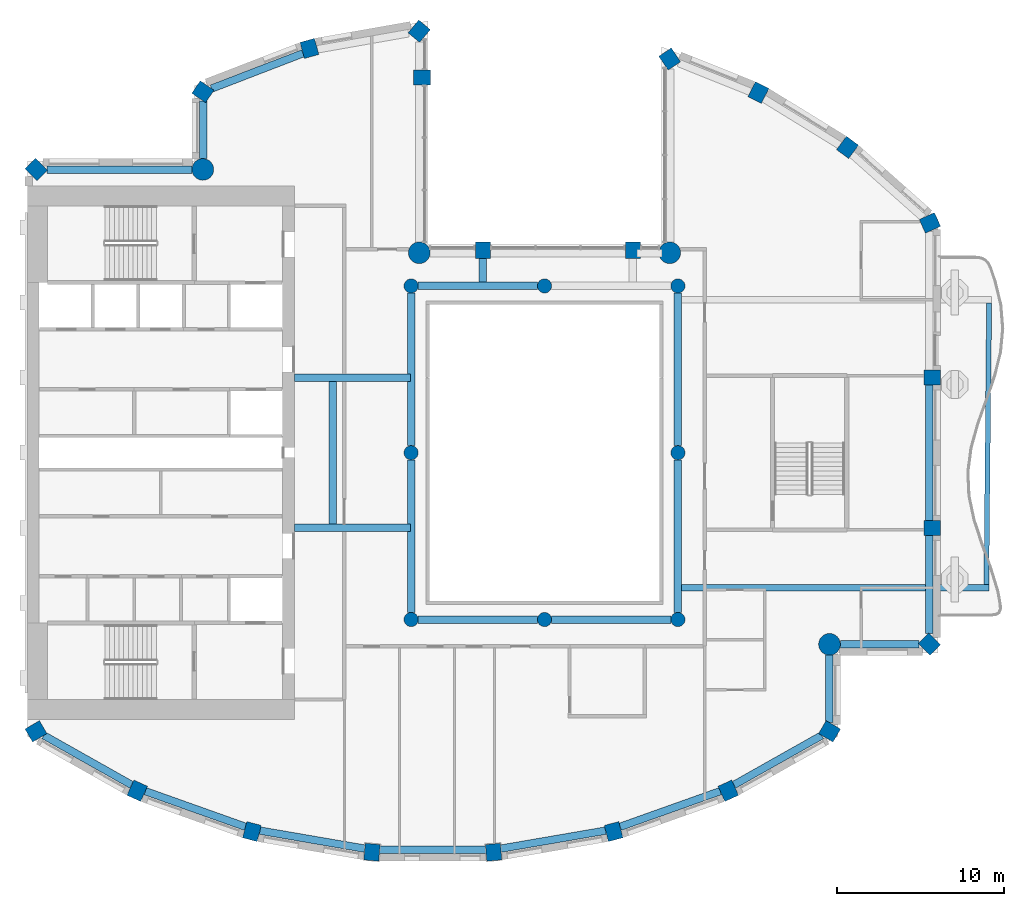
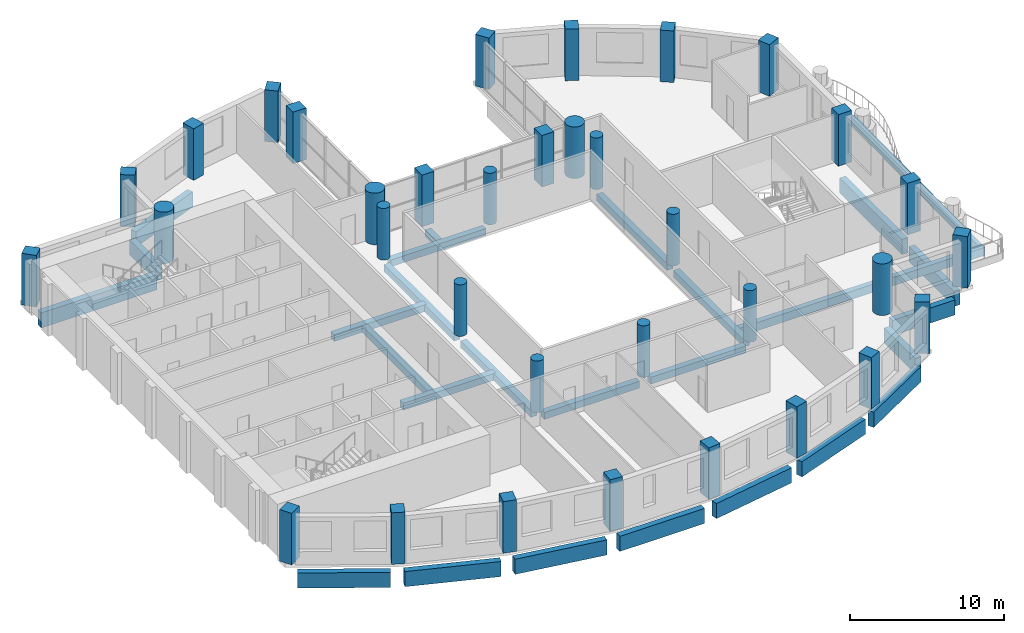
# One storey, part 1 of 14: 34 columns, 27 beams.
"""IFC4 building model written with IfcOpenShell, lengths in metres."""

from ifc_helpers import new_model, si_unit, direction, frame, origin, origin_2d, place, context, subcontext, project, spatial, rectangle, circle, extrude, material, material_profile, profile_set, type_object, element, save


model = new_model("IFC4")

# Units and contexts
model_context = context("Model", 3, precision=1e-05, world=origin(), true_north=direction((0.0, 1.0)))
body_context = subcontext(model_context, "Body", "Model", "MODEL_VIEW")
ifc_project = project(units=[si_unit("LENGTHUNIT", "METRE"), si_unit("AREAUNIT", "SQUARE_METRE"), si_unit("VOLUMEUNIT", "CUBIC_METRE"), si_unit("PLANEANGLEUNIT", "RADIAN"), si_unit("MASSUNIT", "GRAM", prefix="KILO")], contexts=[model_context])

# Site, building, storey
site_placement = place(None, origin())
site = spatial("IfcSite", under=ifc_project, at=site_placement, CompositionType="ELEMENT")
building_placement = place(site_placement, origin())
building = spatial("IfcBuilding", under=site, at=building_placement, Name="Cypress Arch Tower", CompositionType="ELEMENT")
storey_placement = place(building_placement, frame((0.0, 0.0, 296.699951171875)))
storey = spatial("IfcBuildingStorey", under=building, at=storey_placement, Name="L67", CompositionType="ELEMENT", Elevation=296.699951171875)

# Columns
ifc_material_1 = material(Name="Concrete C60/75", Category="concrete")
ifc_material_profile_1 = material_profile(ifc_material_1, rectangle(XDim=0.89990234375, YDim=1.0, at=origin_2d()), Name="RC 900x1000")
ifc_profile_set_1 = profile_set([ifc_material_profile_1], Name="Concrete C60/75")
column_type_1 = type_object("IfcColumnType", Name="Column RC 900x1000 Concrete C60/75", PredefinedType="COLUMN", material=ifc_profile_set_1)
for number, where, z_axis, x_axis, name in (
    (1, (8.5029296875, 23.606201171875, 0.0), (0.0, 0.0, 1.0), (-0.828469606019, -0.560034027451, 0.0), "Column L67 CC00"),
    (2, (6.300048828125, 12.14990234375, 0.0), (0.0, 0.0, 1.0), (-1.0, 0.0, 0.0), "Column L67 CC02"),
    (3, (-2.699951171875, 12.14990234375, 0.0), (0.0, 0.0, 1.0), (-1.0, 0.0, 0.0), "Column L67 CC03"),
    (4, (-6.35009765625, 22.5, 0.0), (0.0, 0.0, 1.0), (0.0, 1.0, 0.0), "Column L67 CC05"),
    (5, (-6.51611328125, 25.27490234375, 0.0), (0.0, 0.0, 1.0), (-0.766063514674, 0.642764880407, 0.0), "Column L67 CC06"),
    (6, (-13.0947265625, 24.241455078125, 0.0), (0.0, 0.0, 1.0), (-0.96345574646, -0.267867550506, 0.0), "Column L67 CC07"),
    (7, (-19.483154296875, 21.645263671875, 0.0), (0.0, 0.0, 1.0), (-0.565892599589, -0.824478966215, 0.0), "Column L67 CC08"),
    (8, (-29.478271484375, 16.978271484375, 0.0), (0.0, 0.0, 1.0), (-0.707106781187, -0.707106781187, 0.0), "Column L67 CC10"),
    (9, (-29.4912109375, -16.702880859375, 0.0), (0.0, 0.0, 1.0), (0.504399289829, -0.86347053014, 0.0), "Column L67 CC11"),
    (10, (-23.4189453125, -20.266845703125, 0.0), (0.0, 0.0, 1.0), (0.909932071487, -0.414757308891, 0.0), "Column L67 CC12"),
    (11, (-16.541748046875, -22.714599609375, 0.0), (0.0, 0.0, 1.0), (0.96735573689, -0.2534223319, 0.0), "Column L67 CC13"),
    (12, (-9.346923828125, -23.95361328125, 0.0), (0.0, 0.0, 1.0), (0.996368206733, -0.085149260784, 0.0), "Column L67 CC14"),
    (13, (-2.052978515625, -23.95361328125, 0.0), (0.0, 0.0, 1.0), (0.996368206733, 0.085149260784, 0.0), "Column L67 CC15"),
    (14, (5.1416015625, -22.714599609375, 0.0), (0.0, 0.0, 1.0), (0.96735573689, 0.2534223319, 0.0), "Column L67 CC16"),
    (15, (12.01904296875, -20.266845703125, 0.0), (0.0, 0.0, 1.0), (0.909932071487, 0.414757308891, 0.0), "Column L67 CC17"),
    (16, (18.09130859375, -16.702880859375, 0.0), (0.0, 0.0, 1.0), (0.504399289829, 0.86347053014, 0.0), "Column L67 CC18"),
    (17, (24.078369140625, -11.478271484375, 0.0), (0.0, 0.0, 1.0), (0.707106781187, 0.707106781187, 0.0), "Column L67 CC20"),
    (18, (24.25, -4.5, 0.0), (0.0, 0.0, 1.0), (0.0, 1.0, 0.0), "Column L67 CC21"),
    (19, (24.25, 4.5, 0.0), (0.0, 0.0, 1.0), (0.0, 1.0, 0.0), "Column L67 CC22"),
    (20, (24.109619140625, 13.77978515625, 0.0), (0.0, 0.0, 1.0), (-0.409765058504, 0.912191096662, 0.0), "Column L67 CC23"),
    (21, (19.168212890625, 18.307861328125, 0.0), (0.0, 0.0, 1.0), (-0.802798546114, 0.596250362144, 0.0), "Column L67 CC24"),
    (22, (13.82568359375, 21.59375, 0.0), (0.0, 0.0, 1.0), (-0.893106499805, 0.44984528452, 0.0), "Column L67 CC25"),
):
    element("IfcColumn", number, at=place(storey_placement, frame(where, z_axis=z_axis, x_axis=x_axis)), inside=storey, type_object=column_type_1, Name=name, PredefinedType="COLUMN", context=body_context, shape_type="SweptSolid", body=[
        extrude(rectangle(XDim=0.89990234375, YDim=1.0, at=origin_2d()), origin(), (0.0, 0.0, 1.0), 4.10009765625),
    ])
ifc_material_2 = material(Name="Concrete C60/75", Category="concrete")
ifc_material_profile_2 = material_profile(ifc_material_2, circle(Radius=0.425048828125, at=origin_2d()), Name="RC D850")
ifc_profile_set_2 = profile_set([ifc_material_profile_2], Name="Concrete C60/75")
column_type_2 = type_object("IfcColumnType", Name="Column RC D850 Concrete C60/75", PredefinedType="COLUMN", material=ifc_profile_set_2)
for number, where, z_axis, x_axis, name in (
    (23, (-7.0, -10.0, 0.0), (0.0, 0.0, 1.0), (1.0, 0.0, 0.0), "Column L67 RNG-L67-G-7-10"),
    (24, (-7.0, 0.0, 0.0), (0.0, 0.0, 1.0), (1.0, 0.0, 0.0), "Column L67 RNG-L67-G-7+0"),
    (25, (-7.0, 10.0, 0.0), (0.0, 0.0, 1.0), (1.0, 0.0, 0.0), "Column L67 RNG-L67-G-7+10"),
    (26, (1.0, -10.0, 0.0), (0.0, 0.0, 1.0), (1.0, 0.0, 0.0), "Column L67 RNG-L67-G+1-10"),
    (27, (1.0, 10.0, 0.0), (0.0, 0.0, 1.0), (1.0, 0.0, 0.0), "Column L67 RNG-L67-G+1+10"),
    (28, (9.0, -10.0, 0.0), (0.0, 0.0, 1.0), (1.0, 0.0, 0.0), "Column L67 RNG-L67-G+9-10"),
    (29, (9.0, 0.0, 0.0), (0.0, 0.0, 1.0), (1.0, 0.0, 0.0), "Column L67 RNG-L67-G+9+0"),
    (30, (9.0, 10.0, 0.0), (0.0, 0.0, 1.0), (1.0, 0.0, 0.0), "Column L67 RNG-L67-G+9+10"),
):
    element("IfcColumn", number, at=place(storey_placement, frame(where, z_axis=z_axis, x_axis=x_axis)), inside=storey, type_object=column_type_2, Name=name, PredefinedType="COLUMN", context=body_context, shape_type="SweptSolid", body=[
        extrude(circle(Radius=0.425048828125, at=origin_2d()), origin(), (0.0, 0.0, 1.0), 4.10009765625),
    ])
ifc_material_3 = material(Name="Concrete C60/75", Category="concrete")
ifc_material_profile_3 = material_profile(ifc_material_3, circle(Radius=0.64990234375, at=origin_2d()), Name="RC D1300")
ifc_profile_set_3 = profile_set([ifc_material_profile_3], Name="Concrete C60/75")
column_type_3 = type_object("IfcColumnType", Name="Mega-column RC D1300 Concrete C60/75", PredefinedType="COLUMN", material=ifc_profile_set_3)
for number, where, z_axis, x_axis, name in (
    (31, (8.51220703125, 11.98779296875, 0.0), (0.0, 0.0, 1.0), (1.0, 0.0, 0.0), "Column L67 CC01"),
    (32, (-6.51220703125, 11.98779296875, 0.0), (0.0, 0.0, 1.0), (1.0, 0.0, 0.0), "Column L67 CC04"),
    (33, (-19.48779296875, 16.98779296875, 0.0), (0.0, 0.0, 1.0), (1.0, 0.0, 0.0), "Column L67 CC09"),
    (34, (18.087890625, -11.48779296875, 0.0), (0.0, 0.0, 1.0), (1.0, 0.0, 0.0), "Column L67 CC19"),
):
    element("IfcColumn", number, at=place(storey_placement, frame(where, z_axis=z_axis, x_axis=x_axis)), inside=storey, type_object=column_type_3, Name=name, PredefinedType="COLUMN", context=body_context, shape_type="SweptSolid", body=[
        extrude(circle(Radius=0.64990234375, at=origin_2d()), origin(), (0.0, 0.0, 1.0), 4.10009765625),
    ])

# Beams
ifc_material_4 = material(Name="Concrete C50/60", Category="concrete")
ifc_material_profile_4 = material_profile(ifc_material_4, rectangle(XDim=0.300048828125, YDim=0.64990234375, at=origin_2d()), Name="RC 300x650")
ifc_profile_set_4 = profile_set([ifc_material_profile_4], Name="Concrete C50/60")
beam_type_1 = type_object("IfcBeamType", Name="Balcony edge beam RC 300x650 Concrete C50/60", PredefinedType="BEAM", material=ifc_profile_set_4)
beam_1_placement = place(storey_placement, frame((27.492919921875, -7.89990234375, -0.625), z_axis=(0.009731864031, 0.99995264429, 0.0), x_axis=(-0.99995264429, 0.009731864031, 0.0)))
element("IfcBeam", 35, at=beam_1_placement, inside=storey, type_object=beam_type_1, Name="Balcony edge beam L67 C17", PredefinedType="BEAM", context=body_context, shape_type="SweptSolid", body=[
    extrude(rectangle(XDim=0.300048828125, YDim=0.64990234375, at=origin_2d()), origin(), (0.0, 0.0, 1.0), 16.88330078125),
])
ifc_material_5 = material(Name="Concrete C50/60", Category="concrete")
ifc_material_profile_5 = material_profile(ifc_material_5, rectangle(XDim=0.39990234375, YDim=0.64990234375, at=origin_2d()), Name="RC 400x650")
ifc_profile_set_5 = profile_set([ifc_material_profile_5], Name="Concrete C50/60")
beam_type_2 = type_object("IfcBeamType", Name="Cantilever beam RC 400x650 Concrete C50/60", PredefinedType="BEAM", material=ifc_profile_set_5)
beam_2_placement = place(storey_placement, frame((9.22509765625, -8.10009765625, -0.625), z_axis=(1.0, 0.0, 0.0), x_axis=(0.0, 1.0, 0.0)))
element("IfcBeam", 36, at=beam_2_placement, inside=storey, type_object=beam_type_2, Name="Cantilever beam L67 C17 1", PredefinedType="BEAM", context=body_context, shape_type="SweptSolid", body=[
    extrude(rectangle(XDim=0.39990234375, YDim=0.64990234375, at=origin_2d()), origin(), (0.0, 0.0, 1.0), 18.417724609375),
])
ifc_material_6 = material(Name="Concrete C50/60", Category="concrete")
ifc_material_profile_6 = material_profile(ifc_material_6, rectangle(XDim=0.449951171875, YDim=0.550048828125, at=origin_2d()), Name="RC 450x550")
ifc_profile_set_6 = profile_set([ifc_material_profile_6], Name="Concrete C50/60")
beam_type_3 = type_object("IfcBeamType", Name="Floor beam RC 450x550 Concrete C50/60", PredefinedType="BEAM", material=ifc_profile_set_6)
for number, where, z_axis, x_axis, name in (
    (37, (-7.0, -9.574951171875, -0.574951171875), (0.0, 1.0, 0.0), (-1.0, 0.0, 0.0), "Floor beam L67 RB001"),
    (38, (-7.0, 0.425048828125, -0.574951171875), (0.0, 1.0, 0.0), (-1.0, 0.0, 0.0), "Floor beam L67 RB002"),
    (39, (9.0, -9.574951171875, -0.574951171875), (0.0, 1.0, 0.0), (-1.0, 0.0, 0.0), "Floor beam L67 RB003"),
    (40, (9.0, 0.425048828125, -0.574951171875), (0.0, 1.0, 0.0), (-1.0, 0.0, 0.0), "Floor beam L67 RB004"),
):
    element("IfcBeam", number, at=place(storey_placement, frame(where, z_axis=z_axis, x_axis=x_axis)), inside=storey, type_object=beam_type_3, Name=name, PredefinedType="BEAM", context=body_context, shape_type="SweptSolid", body=[
        extrude(rectangle(XDim=0.449951171875, YDim=0.550048828125, at=origin_2d()), origin(), (0.0, 0.0, 1.0), 9.14990234375),
    ])
for number, where, z_axis, x_axis, name in (
    (41, (-6.574951171875, -10.0, -0.574951171875), (1.0, 0.0, 0.0), (0.0, 1.0, 0.0), "Floor beam L67 RB005"),
    (42, (1.425048828125, -10.0, -0.574951171875), (1.0, 0.0, 0.0), (0.0, 1.0, 0.0), "Floor beam L67 RB006"),
    (43, (-6.574951171875, 10.0, -0.574951171875), (1.0, 0.0, 0.0), (0.0, 1.0, 0.0), "Floor beam L67 RB007"),
):
    element("IfcBeam", number, at=place(storey_placement, frame(where, z_axis=z_axis, x_axis=x_axis)), inside=storey, type_object=beam_type_3, Name=name, PredefinedType="BEAM", context=body_context, shape_type="SweptSolid", body=[
        extrude(rectangle(XDim=0.449951171875, YDim=0.550048828125, at=origin_2d()), origin(), (0.0, 0.0, 1.0), 7.14990234375),
    ])
for number, where, z_axis, x_axis, name in (
    (44, (-14.0, -4.5, -0.574951171875), (1.0, 0.0, 0.0), (0.0, 1.0, 0.0), "Floor beam L67 FB009"),
    (45, (-14.0, 4.5, -0.574951171875), (1.0, 0.0, 0.0), (0.0, 1.0, 0.0), "Floor beam L67 FB010"),
):
    element("IfcBeam", number, at=place(storey_placement, frame(where, z_axis=z_axis, x_axis=x_axis)), inside=storey, type_object=beam_type_3, Name=name, PredefinedType="BEAM", context=body_context, shape_type="SweptSolid", body=[
        extrude(rectangle(XDim=0.449951171875, YDim=0.550048828125, at=origin_2d()), origin(), (0.0, 0.0, 1.0), 6.949951171875),
    ])
beam_3_placement = place(storey_placement, frame((-11.699951171875, -4.27490234375, -0.574951171875), z_axis=(0.0, 1.0, 0.0), x_axis=(-1.0, 0.0, 0.0)))
element("IfcBeam", 46, at=beam_3_placement, inside=storey, type_object=beam_type_3, Name="Floor beam L67 FB011", PredefinedType="BEAM", context=body_context, shape_type="SweptSolid", body=[
    extrude(rectangle(XDim=0.449951171875, YDim=0.550048828125, at=origin_2d()), origin(), (0.0, 0.0, 1.0), 8.5498046875),
])
beam_4_placement = place(storey_placement, frame((-2.699951171875, 10.22509765625, -0.574951171875), z_axis=(0.0, 1.0, 0.0), x_axis=(-1.0, 0.0, 0.0)))
element("IfcBeam", 47, at=beam_4_placement, inside=storey, type_object=beam_type_3, Name="Floor beam L67 FB012", PredefinedType="BEAM", context=body_context, shape_type="SweptSolid", body=[
    extrude(rectangle(XDim=0.449951171875, YDim=0.550048828125, at=origin_2d()), origin(), (0.0, 0.0, 1.0), 1.4248046875),
])
ifc_material_7 = material(Name="Concrete C50/60", Category="concrete")
ifc_material_profile_7 = material_profile(ifc_material_7, rectangle(XDim=0.449951171875, YDim=1.199951171875, at=origin_2d()), Name="RC 450x1200")
ifc_profile_set_7 = profile_set([ifc_material_profile_7], Name="Concrete C50/60")
beam_type_4 = type_object("IfcBeamType", Name="Spandrel beam RC 450x1200 Concrete C50/60", PredefinedType="SPANDREL", material=ifc_profile_set_7)
beam_5_placement = place(storey_placement, frame((-13.48046875, 23.94921875, -1.550048828125), z_axis=(-0.933138853319, -0.359516175472, 0.0), x_axis=(0.359516175472, -0.933138853319, 0.0)))
element("IfcBeam", 48, at=beam_5_placement, inside=storey, type_object=beam_type_4, Name="Spandrel beam L67 BC04-0", PredefinedType="SPANDREL", context=body_context, shape_type="SweptSolid", body=[
    extrude(rectangle(XDim=0.449951171875, YDim=1.199951171875, at=origin_2d()), origin(), (0.0, 0.0, 1.0), 5.878173828125),
])
beam_6_placement = place(storey_placement, frame((-19.47509765625, 21.09375, -1.550048828125), z_axis=(0.0, -1.0, 0.0), x_axis=(1.0, 0.0, 0.0)))
element("IfcBeam", 49, at=beam_6_placement, inside=storey, type_object=beam_type_4, Name="Spandrel beam L67 BC05-0", PredefinedType="SPANDREL", context=body_context, shape_type="SweptSolid", body=[
    extrude(rectangle(XDim=0.449951171875, YDim=1.199951171875, at=origin_2d()), origin(), (0.0, 0.0, 1.0), 3.456298828125),
])
beam_7_placement = place(storey_placement, frame((-20.137451171875, 16.97509765625, -1.550048828125), z_axis=(-1.0, 0.0, 0.0), x_axis=(0.0, -1.0, 0.0)))
element("IfcBeam", 50, at=beam_7_placement, inside=storey, type_object=beam_type_4, Name="Spandrel beam L67 BC06-0", PredefinedType="SPANDREL", context=body_context, shape_type="SweptSolid", body=[
    extrude(rectangle(XDim=0.449951171875, YDim=1.199951171875, at=origin_2d()), origin(), (0.0, 0.0, 1.0), 8.701171875),
])
beam_8_placement = place(storey_placement, frame((-29.02099609375, -16.94921875, -1.550048828125), z_axis=(0.871059543975, -0.491177433165, 0.0), x_axis=(0.491177433165, 0.871059543975, 0.0)))
element("IfcBeam", 51, at=beam_8_placement, inside=storey, type_object=beam_type_4, Name="Spandrel beam L67 BC08-0", PredefinedType="SPANDREL", context=body_context, shape_type="SweptSolid", body=[
    extrude(rectangle(XDim=0.449951171875, YDim=1.199951171875, at=origin_2d()), origin(), (0.0, 0.0, 1.0), 6.045654296875),
])
beam_9_placement = place(storey_placement, frame((-22.93603515625, -20.2919921875, -1.550048828125), z_axis=(0.942120065582, -0.33527568064, 0.0), x_axis=(0.33527568064, 0.942120065582, 0.0)))
element("IfcBeam", 52, at=beam_9_placement, inside=storey, type_object=beam_type_4, Name="Spandrel beam L67 BC09-0", PredefinedType="SPANDREL", context=body_context, shape_type="SweptSolid", body=[
    extrude(rectangle(XDim=0.449951171875, YDim=1.199951171875, at=origin_2d()), origin(), (0.0, 0.0, 1.0), 6.373046875),
])
beam_10_placement = place(storey_placement, frame((-16.061279296875, -22.656982421875, -1.550048828125), z_axis=(0.985502990778, -0.169658053646, 0.0), x_axis=(0.169658053646, 0.985502990778, 0.0)))
element("IfcBeam", 53, at=beam_10_placement, inside=storey, type_object=beam_type_4, Name="Spandrel beam L67 BC10-0", PredefinedType="SPANDREL", context=body_context, shape_type="SweptSolid", body=[
    extrude(rectangle(XDim=0.449951171875, YDim=1.199951171875, at=origin_2d()), origin(), (0.0, 0.0, 1.0), 6.373291015625),
])
beam_11_placement = place(storey_placement, frame((-8.883544921875, -23.81494140625, -1.550048828125), z_axis=(1.0, 0.0, 0.0), x_axis=(0.0, 1.0, 0.0)))
element("IfcBeam", 54, at=beam_11_placement, inside=storey, type_object=beam_type_4, Name="Spandrel beam L67 BC11-0", PredefinedType="SPANDREL", context=body_context, shape_type="SweptSolid", body=[
    extrude(rectangle(XDim=0.449951171875, YDim=1.199951171875, at=origin_2d()), origin(), (0.0, 0.0, 1.0), 6.366943359375),
])
beam_12_placement = place(storey_placement, frame((-1.619873046875, -23.73828125, -1.550048828125), z_axis=(0.985504093315, 0.169651649149, 0.0), x_axis=(-0.169651649149, 0.985504093315, 0.0)))
element("IfcBeam", 55, at=beam_12_placement, inside=storey, type_object=beam_type_4, Name="Spandrel beam L67 BC12-0", PredefinedType="SPANDREL", context=body_context, shape_type="SweptSolid", body=[
    extrude(rectangle(XDim=0.449951171875, YDim=1.199951171875, at=origin_2d()), origin(), (0.0, 0.0, 1.0), 6.37353515625),
])
beam_13_placement = place(storey_placement, frame((5.531982421875, -22.4287109375, -1.550048828125), z_axis=(0.942115759102, 0.335287781541, 0.0), x_axis=(-0.335287781541, 0.942115759102, 0.0)))
element("IfcBeam", 56, at=beam_13_placement, inside=storey, type_object=beam_type_4, Name="Spandrel beam L67 BC13-0", PredefinedType="SPANDREL", context=body_context, shape_type="SweptSolid", body=[
    extrude(rectangle(XDim=0.449951171875, YDim=1.199951171875, at=origin_2d()), origin(), (0.0, 0.0, 1.0), 6.372802734375),
])
beam_14_placement = place(storey_placement, frame((12.35498046875, -19.918701171875, -1.550048828125), z_axis=(0.871059543975, 0.491177433165, 0.0), x_axis=(-0.491177433165, 0.871059543975, 0.0)))
element("IfcBeam", 57, at=beam_14_placement, inside=storey, type_object=beam_type_4, Name="Spandrel beam L67 BC14-0", PredefinedType="SPANDREL", context=body_context, shape_type="SweptSolid", body=[
    extrude(rectangle(XDim=0.449951171875, YDim=1.199951171875, at=origin_2d()), origin(), (0.0, 0.0, 1.0), 6.045654296875),
])
beam_15_placement = place(storey_placement, frame((18.074951171875, -16.172119140625, -1.550048828125), z_axis=(0.0, 1.0, 0.0), x_axis=(-1.0, 0.0, 0.0)))
element("IfcBeam", 58, at=beam_15_placement, inside=storey, type_object=beam_type_4, Name="Spandrel beam L67 BC15-0", PredefinedType="SPANDREL", context=body_context, shape_type="SweptSolid", body=[
    extrude(rectangle(XDim=0.449951171875, YDim=1.199951171875, at=origin_2d()), origin(), (0.0, 0.0, 1.0), 4.03466796875),
])
beam_16_placement = place(storey_placement, frame((18.737548828125, -11.47509765625, -1.550048828125), z_axis=(1.0, 0.0, 0.0), x_axis=(0.0, 1.0, 0.0)))
element("IfcBeam", 59, at=beam_16_placement, inside=storey, type_object=beam_type_4, Name="Spandrel beam L67 BC16-0", PredefinedType="SPANDREL", context=body_context, shape_type="SweptSolid", body=[
    extrude(rectangle(XDim=0.449951171875, YDim=1.199951171875, at=origin_2d()), origin(), (0.0, 0.0, 1.0), 4.701171875),
])
beam_17_placement = place(storey_placement, frame((24.074951171875, -10.838623046875, -1.550048828125), z_axis=(0.0, 1.0, 0.0), x_axis=(-1.0, 0.0, 0.0)))
element("IfcBeam", 60, at=beam_17_placement, inside=storey, type_object=beam_type_4, Name="Spandrel beam L67 BC17-0", PredefinedType="SPANDREL", context=body_context, shape_type="SweptSolid", body=[
    extrude(rectangle(XDim=0.449951171875, YDim=1.199951171875, at=origin_2d()), origin(), (0.0, 0.0, 1.0), 5.888671875),
])
beam_18_placement = place(storey_placement, frame((24.074951171875, -4.050048828125, -1.550048828125), z_axis=(0.0, 1.0, 0.0), x_axis=(-1.0, 0.0, 0.0)))
element("IfcBeam", 61, at=beam_18_placement, inside=storey, type_object=beam_type_4, Name="Spandrel beam L67 BC17-1", PredefinedType="SPANDREL", context=body_context, shape_type="SweptSolid", body=[
    extrude(rectangle(XDim=0.449951171875, YDim=1.199951171875, at=origin_2d()), origin(), (0.0, 0.0, 1.0), 8.10009765625),
])

save(model, "model.ifc")
